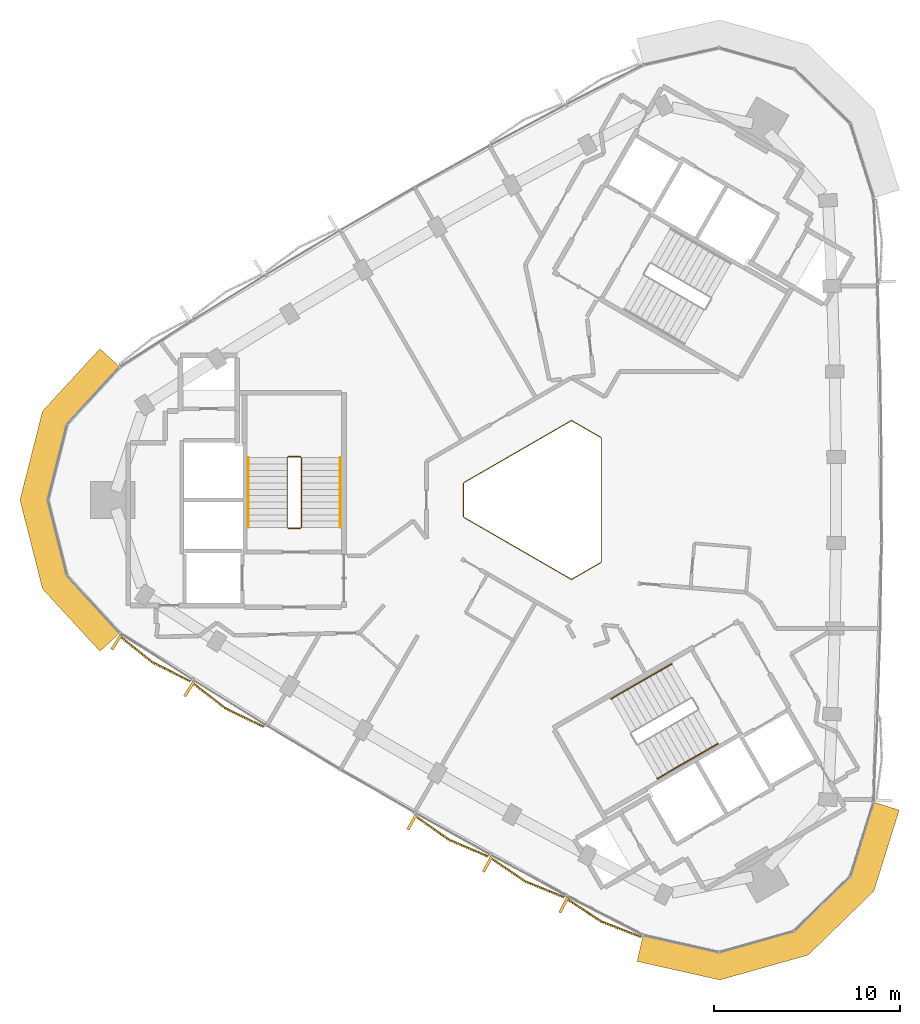
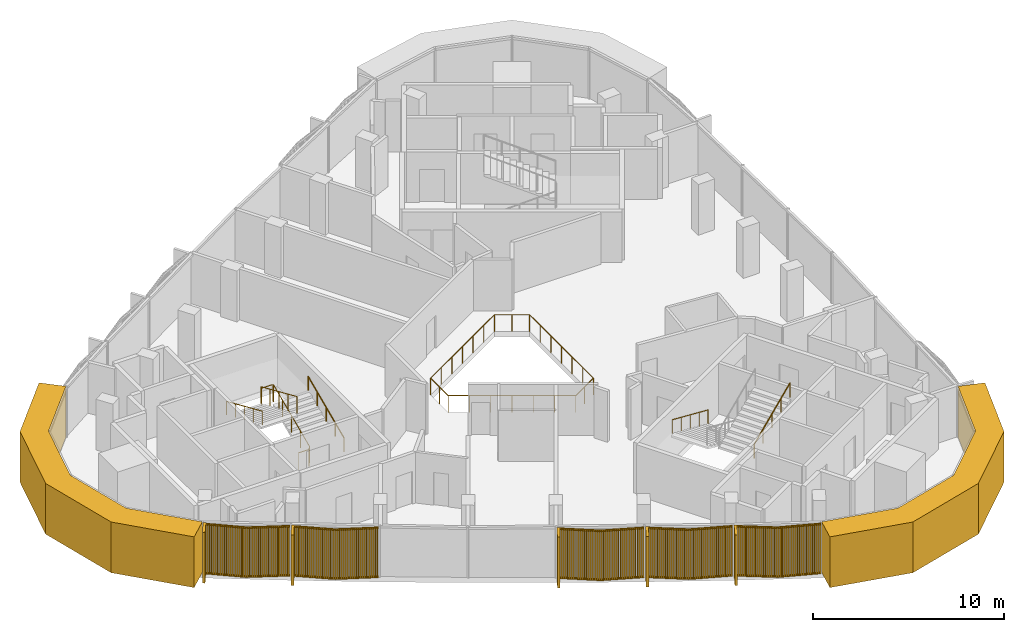
# One storey, part 10 of 12: 7 coverings, 6 railings.
"""IFC4 building model written with IfcOpenShell, lengths in metres."""

from ifc_helpers import new_model, si_unit, direction, frame, frame_2d, origin, origin_2d, place, context, subcontext, project, spatial, polyline, rectangle, circle, outline, extrude, source, transform, mapped, material, layer, layer_set, type_object, element, save


model = new_model("IFC4")

# Units and contexts
model_context = context("Model", 3, precision=1e-05, world=origin(), true_north=direction((0.0, 1.0)))
body_context = subcontext(model_context, "Body", "Model", "MODEL_VIEW")
ifc_project = project(units=[si_unit("LENGTHUNIT", "METRE"), si_unit("AREAUNIT", "SQUARE_METRE"), si_unit("VOLUMEUNIT", "CUBIC_METRE"), si_unit("PLANEANGLEUNIT", "RADIAN"), si_unit("MASSUNIT", "GRAM", prefix="KILO")], contexts=[model_context])

# Site, building, storey
site_placement = place(None, origin())
site = spatial("IfcSite", under=ifc_project, at=site_placement, CompositionType="ELEMENT")
building_placement = place(site_placement, origin())
building = spatial("IfcBuilding", under=site, at=building_placement, Name="Tamra Quay Hotel Tower", CompositionType="ELEMENT")
storey_placement = place(building_placement, frame((0.0, 0.0, 280.199951171875)))
storey = spatial("IfcBuildingStorey", under=building, at=storey_placement, Name="L71", CompositionType="ELEMENT", Elevation=280.199951171875)

# Coverings
ifc_material_1 = material(Name="Precast concrete M60 terracotta-coloured", Category="masonry")
ifc_layer = layer(ifc_material_1, 1.449951171875)
ifc_layer_set = layer_set([ifc_layer], Name="CORNER PIER PANEL")
covering_type_1 = type_object("IfcCoveringType", Name="CORNER PIER PANEL", PredefinedType="CLADDING", material=ifc_layer_set)
covering_1_placement = place(storey_placement, origin())
element("IfcCovering", 1, at=covering_1_placement, inside=storey, type_object=covering_type_1, Name="Corner pier L71.north-west", PredefinedType="CLADDING", context=body_context, shape_type="SweptSolid", body=[
    extrude(outline(polyline([(-22.898681640625, 7.15869140625), (-23.965087890625, 8.140869140625), (-27.05810546875, 4.781982421875), (-28.269287109375, 0.0), (-27.05810546875, -4.781982421875), (-23.965087890625, -8.140869140625), (-22.898681640625, -7.15869140625), (-25.742431640625, -4.070068359375), (-26.7734375, 0.0), (-25.742431640625, 4.070068359375), (-22.898681640625, 7.15869140625)])), origin(), (0.0, 0.0, 1.0), 3.25),
])
covering_2_placement = place(storey_placement, origin())
element("IfcCovering", 2, at=covering_2_placement, inside=storey, type_object=covering_type_1, Name="Corner pier L71.south-west", PredefinedType="CLADDING", context=body_context, shape_type="SweptSolid", body=[
    extrude(outline(polyline([(5.249755859375, -23.409912109375), (4.9326171875, -24.824951171875), (9.3876953125, -25.823974609375), (14.134521484375, -24.481689453125), (17.67041015625, -21.0419921875), (19.03271484375, -16.68408203125), (17.648681640625, -16.25146484375), (16.39599609375, -20.2587890625), (13.38671875, -23.186279296875), (9.346435546875, -24.32861328125), (5.249755859375, -23.409912109375)])), origin(), (0.0, 0.0, 1.0), 3.25),
])

# Railings
ifc_material_2 = material(Name="Guard atrium edge 1100")
railing_type_1 = type_object("IfcRailingType", Name="Guard atrium edge 1100", PredefinedType="GUARDRAIL", material=ifc_material_2)
railing_1_placement = place(storey_placement, frame((3.0, -3.34912109375, 0.0)))
element("IfcRailing", 3, at=railing_1_placement, inside=storey, type_object=railing_type_1, Name="G-A", PredefinedType="GUARDRAIL", context=body_context, shape_type="SweptSolid", body=[
    extrude(circle(Radius=0.02392578125, at=origin_2d()), frame((0.0, 0.0, 1.076171875), z_axis=(-0.866251590862, -0.499608027687, 0.0), x_axis=(0.499608027687, -0.866251590862, 0.0)), (0.0, 0.0, 1.0), 1.84716796875),
    extrude(circle(Radius=0.02392578125, at=origin_2d()), frame((-1.60009765625, -0.9228515625, 1.076171875), z_axis=(-0.866065387416, 0.499930739924, 0.0), x_axis=(-0.499930739924, -0.866065387416, 0.0)), (0.0, 0.0, 1.0), 6.69677734375),
    extrude(circle(Radius=0.02392578125, at=origin_2d()), frame((-7.39990234375, 2.425048828125, 1.076171875), z_axis=(0.0, 1.0, 0.0), x_axis=(-1.0, 0.0, 0.0)), (0.0, 0.0, 1.0), 1.84814453125),
    extrude(circle(Radius=0.02392578125, at=origin_2d()), frame((-7.39990234375, 4.273193359375, 1.076171875), z_axis=(0.866065387416, 0.499930739924, 0.0), x_axis=(-0.499930739924, 0.866065387416, 0.0)), (0.0, 0.0, 1.0), 6.69677734375),
    extrude(circle(Radius=0.02392578125, at=origin_2d()), frame((-1.60009765625, 7.62109375, 1.076171875), z_axis=(0.866251590862, -0.499608027687, 0.0), x_axis=(0.499608027687, 0.866251590862, 0.0)), (0.0, 0.0, 1.0), 1.84716796875),
    extrude(circle(Radius=0.02392578125, at=origin_2d()), frame((0.0, 6.6982421875, 1.076171875), z_axis=(0.0, -1.0, 0.0), x_axis=(1.0, 0.0, 0.0)), (0.0, 0.0, 1.0), 6.6982421875),
    extrude(circle(Radius=0.02099609375, at=origin_2d()), origin(), (0.0, 0.0, 1.0), 1.052001953125),
    extrude(circle(Radius=0.02099609375, at=origin_2d()), frame((-0.800048828125, -0.46142578125, 0.0)), (0.0, 0.0, 1.0), 1.052001953125),
    extrude(circle(Radius=0.02099609375, at=origin_2d()), frame((-1.60009765625, -0.9228515625, 0.0)), (0.0, 0.0, 1.0), 1.052001953125),
    extrude(circle(Radius=0.02099609375, at=origin_2d()), frame((-2.566650390625, -0.36474609375, 0.0)), (0.0, 0.0, 1.0), 1.052001953125),
    extrude(circle(Radius=0.02099609375, at=origin_2d()), frame((-3.533447265625, 0.193115234375, 0.0)), (0.0, 0.0, 1.0), 1.052001953125),
    extrude(circle(Radius=0.02099609375, at=origin_2d()), frame((-4.5, 0.7509765625, 0.0)), (0.0, 0.0, 1.0), 1.052001953125),
    extrude(circle(Radius=0.02099609375, at=origin_2d()), frame((-5.466552734375, 1.30908203125, 0.0)), (0.0, 0.0, 1.0), 1.052001953125),
    extrude(circle(Radius=0.02099609375, at=origin_2d()), frame((-6.433349609375, 1.8671875, 0.0)), (0.0, 0.0, 1.0), 1.052001953125),
    extrude(circle(Radius=0.02099609375, at=origin_2d()), frame((-7.39990234375, 2.425048828125, 0.0)), (0.0, 0.0, 1.0), 1.052001953125),
    extrude(circle(Radius=0.02099609375, at=origin_2d()), frame((-7.39990234375, 3.34912109375, 0.0)), (0.0, 0.0, 1.0), 1.052001953125),
    extrude(circle(Radius=0.02099609375, at=origin_2d()), frame((-7.39990234375, 4.273193359375, 0.0)), (0.0, 0.0, 1.0), 1.052001953125),
    extrude(circle(Radius=0.02099609375, at=origin_2d()), frame((-6.433349609375, 4.8310546875, 0.0)), (0.0, 0.0, 1.0), 1.052001953125),
    extrude(circle(Radius=0.02099609375, at=origin_2d()), frame((-5.466552734375, 5.38916015625, 0.0)), (0.0, 0.0, 1.0), 1.052001953125),
    extrude(circle(Radius=0.02099609375, at=origin_2d()), frame((-4.5, 5.947265625, 0.0)), (0.0, 0.0, 1.0), 1.052001953125),
    extrude(circle(Radius=0.02099609375, at=origin_2d()), frame((-3.533447265625, 6.505126953125, 0.0)), (0.0, 0.0, 1.0), 1.052001953125),
    extrude(circle(Radius=0.02099609375, at=origin_2d()), frame((-2.566650390625, 7.06298828125, 0.0)), (0.0, 0.0, 1.0), 1.052001953125),
    extrude(circle(Radius=0.02099609375, at=origin_2d()), frame((-1.60009765625, 7.62109375, 0.0)), (0.0, 0.0, 1.0), 1.052001953125),
    extrude(circle(Radius=0.02099609375, at=origin_2d()), frame((-0.800048828125, 7.15966796875, 0.0)), (0.0, 0.0, 1.0), 1.052001953125),
    extrude(circle(Radius=0.02099609375, at=origin_2d()), frame((0.0, 6.6982421875, 0.0)), (0.0, 0.0, 1.0), 1.052001953125),
    extrude(circle(Radius=0.02099609375, at=origin_2d()), frame((0.0, 5.581787109375, 0.0)), (0.0, 0.0, 1.0), 1.052001953125),
    extrude(circle(Radius=0.02099609375, at=origin_2d()), frame((0.0, 4.465576171875, 0.0)), (0.0, 0.0, 1.0), 1.052001953125),
    extrude(circle(Radius=0.02099609375, at=origin_2d()), frame((0.0, 3.34912109375, 0.0)), (0.0, 0.0, 1.0), 1.052001953125),
    extrude(circle(Radius=0.02099609375, at=origin_2d()), frame((0.0, 2.232666015625, 0.0)), (0.0, 0.0, 1.0), 1.052001953125),
    extrude(circle(Radius=0.02099609375, at=origin_2d()), frame((0.0, 1.116455078125, 0.0)), (0.0, 0.0, 1.0), 1.052001953125),
])
ifc_material_3 = material(Name="Stair guard 1100")
railing_type_2 = type_object("IfcRailingType", Name="Stair guard 1100", PredefinedType="GUARDRAIL", material=ifc_material_3)
railing_2_placement = place(storey_placement, frame((-13.84130859375, -1.530029296875, 0.0)))
element("IfcRailing", 4, at=railing_2_placement, inside=storey, type_object=railing_type_2, Name="GR", PredefinedType="GUARDRAIL", context=body_context, shape_type="SweptSolid", body=[
    extrude(circle(Radius=0.02392578125, at=origin_2d()), frame((0.0, 0.0, 1.076171875), z_axis=(1.0, 0.0, 0.0), x_axis=(0.0, 1.0, 0.0)), (0.0, 0.0, 1.0), 0.658935546875),
    extrude(circle(Radius=0.02392578125, at=origin_2d()), frame((0.658935546875, 0.0, 1.076171875), z_axis=(0.301511344578, 0.301511344578, 0.904534033733), x_axis=(-0.707106781187, 0.707106781187, 0.0)), (0.0, 0.0, 1.0), 0.166015625),
    extrude(circle(Radius=0.02392578125, at=origin_2d()), frame((0.708984375, 0.050048828125, 1.22607421875), z_axis=(0.0, 0.915795495799, 0.401644880304), x_axis=(-1.0, 0.0, 0.0)), (0.0, 0.0, 1.0), 4.10791015625),
    extrude(circle(Radius=0.02392578125, at=origin_2d()), frame((0.708984375, 3.81201171875, 2.8759765625), z_axis=(-0.708833529934, 0.705375805398, 0.0), x_axis=(-0.705375805398, -0.708833529934, 0.0)), (0.0, 0.0, 1.0), 0.070556640625),
    extrude(circle(Radius=0.02392578125, at=origin_2d()), frame((0.658935546875, 3.86181640625, 2.8759765625), z_axis=(-1.0, 0.0, 0.0), x_axis=(0.0, -1.0, 0.0)), (0.0, 0.0, 1.0), 0.658935546875),
    extrude(circle(Radius=0.02392578125, at=origin_2d()), frame((0.0, 3.86181640625, 2.8759765625), z_axis=(-0.302046947789, -0.300573548044, 0.904667443621), x_axis=(0.705375805398, -0.708833529934, 0.0)), (0.0, 0.0, 1.0), 0.165771484375),
    extrude(circle(Radius=0.02392578125, at=origin_2d()), frame((-0.050048828125, 3.81201171875, 3.02587890625), z_axis=(0.0, -0.915773634228, 0.401694723457), x_axis=(1.0, 0.0, 0.0)), (0.0, 0.0, 1.0), 4.10791015625),
    extrude(circle(Radius=0.02099609375, at=origin_2d()), origin(), (0.0, 0.0, 1.0), 1.052001953125),
    extrude(circle(Radius=0.02099609375, at=origin_2d()), frame((0.658935546875, 0.0, 0.0)), (0.0, 0.0, 1.0), 1.052001953125),
    extrude(circle(Radius=0.02099609375, at=origin_2d()), frame((0.708984375, 0.050048828125, 0.150146484375)), (0.0, 0.0, 1.0), 1.052001953125),
    extrude(circle(Radius=0.02099609375, at=origin_2d()), frame((0.708984375, 0.990478515625, 0.5625)), (0.0, 0.0, 1.0), 1.052001953125),
    extrude(circle(Radius=0.02099609375, at=origin_2d()), frame((0.708984375, 1.93115234375, 0.97509765625)), (0.0, 0.0, 1.0), 1.052001953125),
    extrude(circle(Radius=0.02099609375, at=origin_2d()), frame((0.708984375, 2.87158203125, 1.3876953125)), (0.0, 0.0, 1.0), 1.052001953125),
    extrude(circle(Radius=0.02099609375, at=origin_2d()), frame((0.708984375, 3.81201171875, 1.800048828125)), (0.0, 0.0, 1.0), 1.052001953125),
    extrude(circle(Radius=0.02099609375, at=origin_2d()), frame((0.658935546875, 3.86181640625, 1.800048828125)), (0.0, 0.0, 1.0), 1.052001953125),
    extrude(circle(Radius=0.02099609375, at=origin_2d()), frame((0.0, 3.86181640625, 1.800048828125)), (0.0, 0.0, 1.0), 1.052001953125),
    extrude(circle(Radius=0.02099609375, at=origin_2d()), frame((-0.050048828125, 3.81201171875, 1.949951171875)), (0.0, 0.0, 1.0), 1.052001953125),
    extrude(circle(Radius=0.02099609375, at=origin_2d()), frame((-0.050048828125, 2.87158203125, 2.362548828125)), (0.0, 0.0, 1.0), 1.052001953125),
    extrude(circle(Radius=0.02099609375, at=origin_2d()), frame((-0.050048828125, 1.93115234375, 2.77490234375)), (0.0, 0.0, 1.0), 1.052001953125),
    extrude(circle(Radius=0.02099609375, at=origin_2d()), frame((-0.050048828125, 0.990478515625, 3.1875)), (0.0, 0.0, 1.0), 1.052001953125),
    extrude(circle(Radius=0.02099609375, at=origin_2d()), frame((-0.050048828125, 0.050048828125, 3.60009765625)), (0.0, 0.0, 1.0), 1.052001953125),
])
ifc_material_4 = material(Name="Stair handrail 900")
railing_type_3 = type_object("IfcRailingType", Name="Stair handrail 900", PredefinedType="HANDRAIL", material=ifc_material_4)
railing_3_placement = place(storey_placement, frame((-11.0322265625, -1.47998046875, 0.150146484375)))
element("IfcRailing", 5, at=railing_3_placement, inside=storey, type_object=railing_type_3, Name="HR", PredefinedType="HANDRAIL", context=body_context, shape_type="SweptSolid", body=[
    extrude(circle(Radius=0.02392578125, at=origin_2d()), frame((0.0, 0.0, 0.8759765625), z_axis=(0.0, 0.915795495799, 0.401644880304), x_axis=(-1.0, 0.0, 0.0)), (0.0, 0.0, 1.0), 4.10791015625),
    extrude(circle(Radius=0.02099609375, at=origin_2d()), origin(), (0.0, 0.0, 1.0), 0.851806640625),
    extrude(circle(Radius=0.02099609375, at=origin_2d()), frame((0.0, 0.9404296875, 0.41259765625)), (0.0, 0.0, 1.0), 0.851806640625),
    extrude(circle(Radius=0.02099609375, at=origin_2d()), frame((0.0, 1.880859375, 0.824951171875)), (0.0, 0.0, 1.0), 0.851806640625),
    extrude(circle(Radius=0.02099609375, at=origin_2d()), frame((0.0, 2.821533203125, 1.2373046875)), (0.0, 0.0, 1.0), 0.851806640625),
    extrude(circle(Radius=0.02099609375, at=origin_2d()), frame((0.0, 3.761962890625, 1.64990234375)), (0.0, 0.0, 1.0), 0.851806640625),
])
railing_4_placement = place(storey_placement, frame((-15.9912109375, 2.281982421875, 1.949951171875)))
element("IfcRailing", 6, at=railing_4_placement, inside=storey, type_object=railing_type_3, Name="HR", PredefinedType="HANDRAIL", context=body_context, shape_type="SweptSolid", body=[
    extrude(circle(Radius=0.02392578125, at=origin_2d()), frame((0.0, 0.0, 0.8759765625), z_axis=(0.0, -0.915773634228, 0.401694723457), x_axis=(1.0, 0.0, 0.0)), (0.0, 0.0, 1.0), 4.10791015625),
    extrude(circle(Radius=0.02099609375, at=origin_2d()), origin(), (0.0, 0.0, 1.0), 0.851806640625),
    extrude(circle(Radius=0.02099609375, at=origin_2d()), frame((0.0, -0.9404296875, 0.41259765625)), (0.0, 0.0, 1.0), 0.851806640625),
    extrude(circle(Radius=0.02099609375, at=origin_2d()), frame((0.0, -1.880859375, 0.8251953125)), (0.0, 0.0, 1.0), 0.851806640625),
    extrude(circle(Radius=0.02099609375, at=origin_2d()), frame((0.0, -2.821533203125, 1.237548828125)), (0.0, 0.0, 1.0), 0.851806640625),
    extrude(circle(Radius=0.02099609375, at=origin_2d()), frame((0.0, -3.761962890625, 1.650146484375)), (0.0, 0.0, 1.0), 0.851806640625),
])
railing_5_placement = place(storey_placement, frame((6.7978515625, -8.814208984375, 0.150146484375)))
element("IfcRailing", 7, at=railing_5_placement, inside=storey, type_object=railing_type_3, Name="HR", PredefinedType="HANDRAIL", context=body_context, shape_type="SweptSolid", body=[
    extrude(circle(Radius=0.02392578125, at=origin_2d()), frame((0.0, 0.0, 0.8759765625), z_axis=(-0.79310004713, -0.457886897714, 0.401661429744), x_axis=(0.499992114976, -0.866029956157, 0.0)), (0.0, 0.0, 1.0), 4.107666015625),
    extrude(circle(Radius=0.02099609375, at=origin_2d()), origin(), (0.0, 0.0, 1.0), 0.851806640625),
    extrude(circle(Radius=0.02099609375, at=origin_2d()), frame((-0.814453125, -0.47021484375, 0.41259765625)), (0.0, 0.0, 1.0), 0.851806640625),
    extrude(circle(Radius=0.02099609375, at=origin_2d()), frame((-1.62890625, -0.9404296875, 0.824951171875)), (0.0, 0.0, 1.0), 0.851806640625),
    extrude(circle(Radius=0.02099609375, at=origin_2d()), frame((-2.443359375, -1.41064453125, 1.2373046875)), (0.0, 0.0, 1.0), 0.851806640625),
    extrude(circle(Radius=0.02099609375, at=origin_2d()), frame((-3.2578125, -1.880859375, 1.64990234375)), (0.0, 0.0, 1.0), 0.851806640625),
])
railing_6_placement = place(storey_placement, frame((6.01953125, -14.98974609375, 1.949951171875)))
element("IfcRailing", 8, at=railing_6_placement, inside=storey, type_object=railing_type_3, Name="HR", PredefinedType="HANDRAIL", context=body_context, shape_type="SweptSolid", body=[
    extrude(circle(Radius=0.02392578125, at=origin_2d()), frame((0.0, 0.0, 0.8759765625), z_axis=(0.793081112945, 0.457875966286, 0.40171127416), x_axis=(-0.499992114976, 0.866029956157, 0.0)), (0.0, 0.0, 1.0), 4.10791015625),
    extrude(circle(Radius=0.02099609375, at=origin_2d()), origin(), (0.0, 0.0, 1.0), 0.851806640625),
    extrude(circle(Radius=0.02099609375, at=origin_2d()), frame((0.814453125, 0.47021484375, 0.41259765625)), (0.0, 0.0, 1.0), 0.851806640625),
    extrude(circle(Radius=0.02099609375, at=origin_2d()), frame((1.62890625, 0.9404296875, 0.8251953125)), (0.0, 0.0, 1.0), 0.851806640625),
    extrude(circle(Radius=0.02099609375, at=origin_2d()), frame((2.443359375, 1.41064453125, 1.237548828125)), (0.0, 0.0, 1.0), 0.851806640625),
    extrude(circle(Radius=0.02099609375, at=origin_2d()), frame((3.2578125, 1.880859375, 1.650146484375)), (0.0, 0.0, 1.0), 0.851806640625),
])

# Coverings
ifc_material_5 = material(Name="Terracotta baguette extruded", Category="masonry")
covering_type_2 = type_object("IfcCoveringType", Name="BAGUETTE SCREEN SW-V H3250", PredefinedType="USERDEFINED", material=ifc_material_5)
shared_shape = source(origin(), body_context, "Body", "SweptSolid", [
    extrude(rectangle(XDim=2.295166015625, YDim=0.06005859375, at=frame_2d((1.1474609375, 0.030029296875))), frame((-2.288818359375, -0.0576171875, -0.1201171875), z_axis=(0.0, 0.0, 1.0), x_axis=(0.994521895368, -0.104528463268, 0.0)), (0.0, 0.0, 1.0), 0.1201171875),
    extrude(rectangle(XDim=2.295166015625, YDim=0.06005859375, at=frame_2d((1.1474609375, 0.030029296875))), frame((-2.288818359375, -0.0576171875, -3.25), z_axis=(0.0, 0.0, 1.0), x_axis=(0.994521895368, -0.104528463268, 0.0)), (0.0, 0.0, 1.0), 0.1201171875),
    extrude(rectangle(XDim=0.070068359375, YDim=0.10009765625, at=frame_2d((0.03515625, 0.050048828125))), frame((-2.267822265625, -0.13330078125, -3.18994140625)), (0.0, 0.0, 1.0), 3.1298828125),
    extrude(rectangle(XDim=0.070068359375, YDim=0.10009765625, at=frame_2d((0.03515625, 0.050048828125))), frame((-2.168701171875, -0.1435546875, -3.18994140625)), (0.0, 0.0, 1.0), 3.1298828125),
    extrude(rectangle(XDim=0.070068359375, YDim=0.10009765625, at=frame_2d((0.03515625, 0.050048828125))), frame((-2.0693359375, -0.154052734375, -3.18994140625)), (0.0, 0.0, 1.0), 3.1298828125),
    extrude(rectangle(XDim=0.070068359375, YDim=0.10009765625, at=frame_2d((0.03515625, 0.050048828125))), frame((-1.97021484375, -0.16455078125, -3.18994140625)), (0.0, 0.0, 1.0), 3.1298828125),
    extrude(rectangle(XDim=0.070068359375, YDim=0.10009765625, at=frame_2d((0.03515625, 0.050048828125))), frame((-1.870849609375, -0.175048828125, -3.18994140625)), (0.0, 0.0, 1.0), 3.1298828125),
    extrude(rectangle(XDim=0.070068359375, YDim=0.10009765625, at=frame_2d((0.03515625, 0.050048828125))), frame((-1.771728515625, -0.185302734375, -3.18994140625)), (0.0, 0.0, 1.0), 3.1298828125),
    extrude(rectangle(XDim=0.070068359375, YDim=0.10009765625, at=frame_2d((0.03515625, 0.050048828125))), frame((-1.67236328125, -0.19580078125, -3.18994140625)), (0.0, 0.0, 1.0), 3.1298828125),
    extrude(rectangle(XDim=0.070068359375, YDim=0.10009765625, at=frame_2d((0.03515625, 0.050048828125))), frame((-1.5732421875, -0.206298828125, -3.18994140625)), (0.0, 0.0, 1.0), 3.1298828125),
    extrude(rectangle(XDim=0.070068359375, YDim=0.10009765625, at=frame_2d((0.03515625, 0.050048828125))), frame((-1.473876953125, -0.216552734375, -3.18994140625)), (0.0, 0.0, 1.0), 3.1298828125),
    extrude(rectangle(XDim=0.070068359375, YDim=0.10009765625, at=frame_2d((0.03515625, 0.050048828125))), frame((-1.374755859375, -0.22705078125, -3.18994140625)), (0.0, 0.0, 1.0), 3.1298828125),
    extrude(rectangle(XDim=0.070068359375, YDim=0.10009765625, at=frame_2d((0.03515625, 0.050048828125))), frame((-1.275390625, -0.237548828125, -3.18994140625)), (0.0, 0.0, 1.0), 3.1298828125),
    extrude(rectangle(XDim=0.070068359375, YDim=0.10009765625, at=frame_2d((0.03515625, 0.050048828125))), frame((-1.17626953125, -0.248046875, -3.18994140625)), (0.0, 0.0, 1.0), 3.1298828125),
    extrude(rectangle(XDim=0.070068359375, YDim=0.10009765625, at=frame_2d((0.03515625, 0.050048828125))), frame((-1.076904296875, -0.25830078125, -3.18994140625)), (0.0, 0.0, 1.0), 3.1298828125),
    extrude(rectangle(XDim=0.070068359375, YDim=0.10009765625, at=frame_2d((0.03515625, 0.050048828125))), frame((-0.977783203125, -0.268798828125, -3.18994140625)), (0.0, 0.0, 1.0), 3.1298828125),
    extrude(rectangle(XDim=0.070068359375, YDim=0.10009765625, at=frame_2d((0.03515625, 0.050048828125))), frame((-0.87841796875, -0.279296875, -3.18994140625)), (0.0, 0.0, 1.0), 3.1298828125),
    extrude(rectangle(XDim=0.070068359375, YDim=0.10009765625, at=frame_2d((0.03515625, 0.050048828125))), frame((-0.779296875, -0.28955078125, -3.18994140625)), (0.0, 0.0, 1.0), 3.1298828125),
    extrude(rectangle(XDim=0.070068359375, YDim=0.10009765625, at=frame_2d((0.03515625, 0.050048828125))), frame((-0.679931640625, -0.300048828125, -3.18994140625)), (0.0, 0.0, 1.0), 3.1298828125),
    extrude(rectangle(XDim=0.070068359375, YDim=0.10009765625, at=frame_2d((0.03515625, 0.050048828125))), frame((-0.580810546875, -0.310546875, -3.18994140625)), (0.0, 0.0, 1.0), 3.1298828125),
    extrude(rectangle(XDim=0.070068359375, YDim=0.10009765625, at=frame_2d((0.03515625, 0.050048828125))), frame((-0.481689453125, -0.321044921875, -3.18994140625)), (0.0, 0.0, 1.0), 3.1298828125),
    extrude(rectangle(XDim=0.070068359375, YDim=0.10009765625, at=frame_2d((0.03515625, 0.050048828125))), frame((-0.38232421875, -0.331298828125, -3.18994140625)), (0.0, 0.0, 1.0), 3.1298828125),
    extrude(rectangle(XDim=0.070068359375, YDim=0.10009765625, at=frame_2d((0.03515625, 0.050048828125))), frame((-0.283203125, -0.341796875, -3.18994140625)), (0.0, 0.0, 1.0), 3.1298828125),
    extrude(rectangle(XDim=0.070068359375, YDim=0.10009765625, at=frame_2d((0.03515625, 0.050048828125))), frame((-0.183837890625, -0.352294921875, -3.18994140625)), (0.0, 0.0, 1.0), 3.1298828125),
    extrude(rectangle(XDim=0.070068359375, YDim=0.10009765625, at=frame_2d((0.03515625, 0.050048828125))), frame((-0.084716796875, -0.36279296875, -3.18994140625)), (0.0, 0.0, 1.0), 3.1298828125),
    extrude(rectangle(XDim=2.295166015625, YDim=0.06005859375, at=frame_2d((1.1474609375, 0.030029296875))), frame((0.00634765625, -0.297607421875, -0.1201171875), z_axis=(0.0, 0.0, 1.0), x_axis=(0.994521895368, 0.104528463268, 0.0)), (0.0, 0.0, 1.0), 0.1201171875),
    extrude(rectangle(XDim=2.295166015625, YDim=0.06005859375, at=frame_2d((1.1474609375, 0.030029296875))), frame((0.00634765625, -0.297607421875, -3.25), z_axis=(0.0, 0.0, 1.0), x_axis=(0.994521895368, 0.104528463268, 0.0)), (0.0, 0.0, 1.0), 0.1201171875),
    extrude(rectangle(XDim=0.070068359375, YDim=0.10009765625, at=frame_2d((0.03515625, 0.050048828125))), frame((0.0146484375, -0.36279296875, -3.18994140625)), (0.0, 0.0, 1.0), 3.1298828125),
    extrude(rectangle(XDim=0.070068359375, YDim=0.10009765625, at=frame_2d((0.03515625, 0.050048828125))), frame((0.11376953125, -0.352294921875, -3.18994140625)), (0.0, 0.0, 1.0), 3.1298828125),
    extrude(rectangle(XDim=0.070068359375, YDim=0.10009765625, at=frame_2d((0.03515625, 0.050048828125))), frame((0.213134765625, -0.341796875, -3.18994140625)), (0.0, 0.0, 1.0), 3.1298828125),
    extrude(rectangle(XDim=0.070068359375, YDim=0.10009765625, at=frame_2d((0.03515625, 0.050048828125))), frame((0.312255859375, -0.331298828125, -3.18994140625)), (0.0, 0.0, 1.0), 3.1298828125),
    extrude(rectangle(XDim=0.070068359375, YDim=0.10009765625, at=frame_2d((0.03515625, 0.050048828125))), frame((0.41162109375, -0.321044921875, -3.18994140625)), (0.0, 0.0, 1.0), 3.1298828125),
    extrude(rectangle(XDim=0.070068359375, YDim=0.10009765625, at=frame_2d((0.03515625, 0.050048828125))), frame((0.5107421875, -0.310546875, -3.18994140625)), (0.0, 0.0, 1.0), 3.1298828125),
    extrude(rectangle(XDim=0.070068359375, YDim=0.10009765625, at=frame_2d((0.03515625, 0.050048828125))), frame((0.610107421875, -0.300048828125, -3.18994140625)), (0.0, 0.0, 1.0), 3.1298828125),
    extrude(rectangle(XDim=0.070068359375, YDim=0.10009765625, at=frame_2d((0.03515625, 0.050048828125))), frame((0.709228515625, -0.28955078125, -3.18994140625)), (0.0, 0.0, 1.0), 3.1298828125),
    extrude(rectangle(XDim=0.070068359375, YDim=0.10009765625, at=frame_2d((0.03515625, 0.050048828125))), frame((0.80859375, -0.279296875, -3.18994140625)), (0.0, 0.0, 1.0), 3.1298828125),
    extrude(rectangle(XDim=0.070068359375, YDim=0.10009765625, at=frame_2d((0.03515625, 0.050048828125))), frame((0.90771484375, -0.268798828125, -3.18994140625)), (0.0, 0.0, 1.0), 3.1298828125),
    extrude(rectangle(XDim=0.070068359375, YDim=0.10009765625, at=frame_2d((0.03515625, 0.050048828125))), frame((1.007080078125, -0.25830078125, -3.18994140625)), (0.0, 0.0, 1.0), 3.1298828125),
    extrude(rectangle(XDim=0.070068359375, YDim=0.10009765625, at=frame_2d((0.03515625, 0.050048828125))), frame((1.106201171875, -0.248046875, -3.18994140625)), (0.0, 0.0, 1.0), 3.1298828125),
    extrude(rectangle(XDim=0.070068359375, YDim=0.10009765625, at=frame_2d((0.03515625, 0.050048828125))), frame((1.20556640625, -0.237548828125, -3.18994140625)), (0.0, 0.0, 1.0), 3.1298828125),
    extrude(rectangle(XDim=0.070068359375, YDim=0.10009765625, at=frame_2d((0.03515625, 0.050048828125))), frame((1.3046875, -0.22705078125, -3.18994140625)), (0.0, 0.0, 1.0), 3.1298828125),
    extrude(rectangle(XDim=0.070068359375, YDim=0.10009765625, at=frame_2d((0.03515625, 0.050048828125))), frame((1.404052734375, -0.216552734375, -3.18994140625)), (0.0, 0.0, 1.0), 3.1298828125),
    extrude(rectangle(XDim=0.070068359375, YDim=0.10009765625, at=frame_2d((0.03515625, 0.050048828125))), frame((1.503173828125, -0.206298828125, -3.18994140625)), (0.0, 0.0, 1.0), 3.1298828125),
    extrude(rectangle(XDim=0.070068359375, YDim=0.10009765625, at=frame_2d((0.03515625, 0.050048828125))), frame((1.6025390625, -0.19580078125, -3.18994140625)), (0.0, 0.0, 1.0), 3.1298828125),
    extrude(rectangle(XDim=0.070068359375, YDim=0.10009765625, at=frame_2d((0.03515625, 0.050048828125))), frame((1.70166015625, -0.185302734375, -3.18994140625)), (0.0, 0.0, 1.0), 3.1298828125),
    extrude(rectangle(XDim=0.070068359375, YDim=0.10009765625, at=frame_2d((0.03515625, 0.050048828125))), frame((1.801025390625, -0.175048828125, -3.18994140625)), (0.0, 0.0, 1.0), 3.1298828125),
    extrude(rectangle(XDim=0.070068359375, YDim=0.10009765625, at=frame_2d((0.03515625, 0.050048828125))), frame((1.900146484375, -0.16455078125, -3.18994140625)), (0.0, 0.0, 1.0), 3.1298828125),
    extrude(rectangle(XDim=0.070068359375, YDim=0.10009765625, at=frame_2d((0.03515625, 0.050048828125))), frame((1.99951171875, -0.154052734375, -3.18994140625)), (0.0, 0.0, 1.0), 3.1298828125),
    extrude(rectangle(XDim=0.070068359375, YDim=0.10009765625, at=frame_2d((0.03515625, 0.050048828125))), frame((2.0986328125, -0.1435546875, -3.18994140625)), (0.0, 0.0, 1.0), 3.1298828125),
    extrude(rectangle(XDim=0.070068359375, YDim=0.10009765625, at=frame_2d((0.03515625, 0.050048828125))), frame((2.197998046875, -0.13330078125, -3.18994140625)), (0.0, 0.0, 1.0), 3.1298828125),
    extrude(rectangle(XDim=0.14990234375, YDim=0.902099609375, at=frame_2d((0.074951171875, 0.451171875))), frame((-2.282470703125, -0.89990234375, -3.25)), (0.0, 0.0, 1.0), 3.25),
])
for number, where, z_axis, x_axis, name in (
    (9, (-20.9853515625, -8.478759765625, 3.25), (0.0, 0.0, 1.0), (0.841665009179, -0.54000001141, 0.0), "Baguette screen L71.SW.f00"),
    (10, (-17.05517578125, -10.957275390625, 3.25), (0.0, 0.0, 1.0), (0.849981780148, -0.526812085489, 0.0), "Baguette screen L71.SW.f01"),
    (11, (-5.03857421875, -18.020751953125, 3.25), (0.0, 0.0, 1.0), (0.873736033097, -0.486400395218, 0.0), "Baguette screen L71.SW.f04"),
    (12, (-0.961669921875, -20.248779296875, 3.25), (0.0, 0.0, 1.0), (0.881223539128, -0.472699771618, 0.0), "Baguette screen L71.SW.f05"),
    (13, (3.149658203125, -22.4130859375, 3.25), (0.0, 0.0, 1.0), (0.888486232515, -0.458903273721, 0.0), "Baguette screen L71.SW.f06"),
):
    element("IfcCovering", number, at=place(storey_placement, frame(where, z_axis=z_axis, x_axis=x_axis)), inside=storey, type_object=covering_type_2, Name=name, ObjectType="BAGUETTE SCREEN", PredefinedType="USERDEFINED", context=body_context, shape_type="MappedRepresentation", body=[
        mapped(shared_shape, transform((0.0, 0.0, 0.0), scale=1.0)),
    ])

save(model, "model.ifc")
